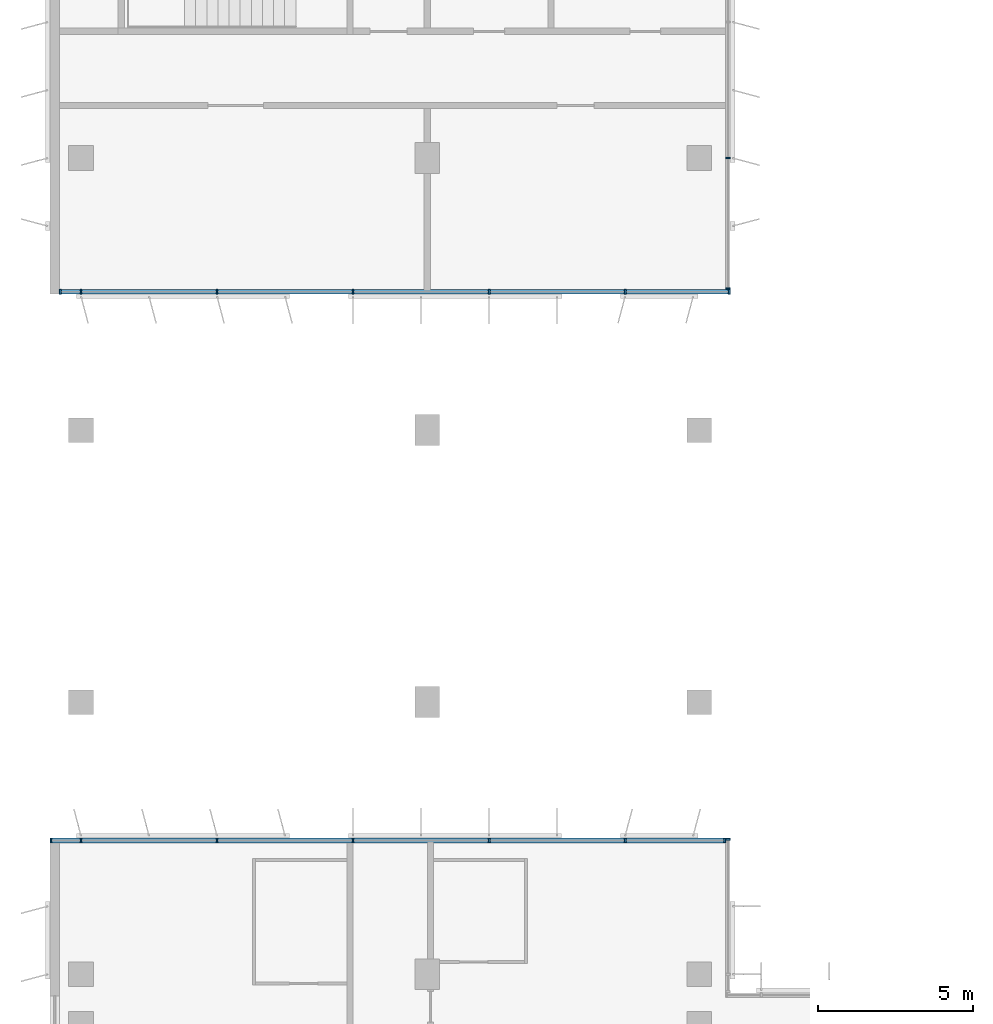
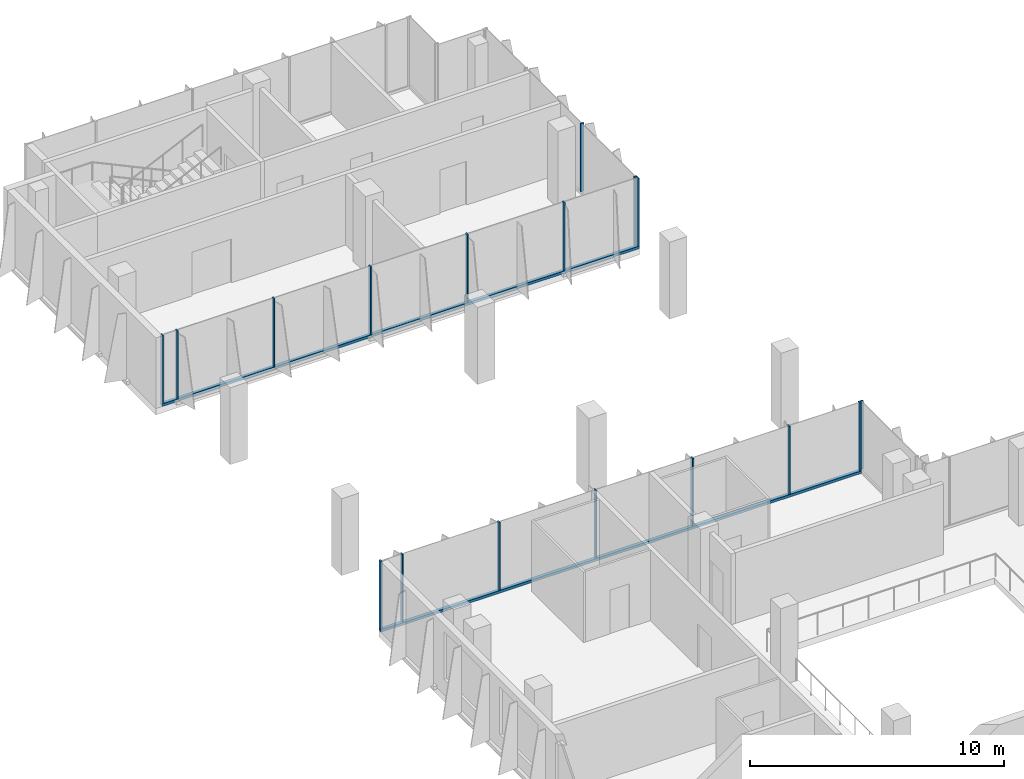
# One storey, part 4 of 14: 19 members, 4 elements without a shape of their own.
"""IFC4 building model written with IfcOpenShell, lengths in metres."""

from ifc_helpers import new_model, si_unit, direction, frame, origin, origin_2d, place, context, subcontext, project, spatial, rectangle, extrude, source, transform, mapped, material, material_profile, profile_set, type_object, element, aggregate, save


model = new_model("IFC4")

# Units and contexts
model_context = context("Model", 3, precision=1e-05, world=origin(), true_north=direction((0.0, 1.0)))
body_context = subcontext(model_context, "Body", "Model", "MODEL_VIEW")
ifc_project = project(units=[si_unit("LENGTHUNIT", "METRE"), si_unit("AREAUNIT", "SQUARE_METRE"), si_unit("VOLUMEUNIT", "CUBIC_METRE"), si_unit("PLANEANGLEUNIT", "RADIAN"), si_unit("MASSUNIT", "GRAM", prefix="KILO")], contexts=[model_context])

# Site, building, storey
site_placement = place(None, origin())
site = spatial("IfcSite", under=ifc_project, at=site_placement, CompositionType="ELEMENT")
building_placement = place(site_placement, origin())
building = spatial("IfcBuilding", under=site, at=building_placement, Name="Kemantara Hotel Tower", CompositionType="ELEMENT")
storey_placement = place(building_placement, frame((0.0, 0.0, 245.0)))
storey = spatial("IfcBuildingStorey", under=building, at=storey_placement, Name="L61", CompositionType="ELEMENT", Elevation=245.0)

# Curtain wall, member
ifc_material_1 = material(Name="Low-E tinted double insulated glass 36 mm", Category="glass")
curtain_wall_type = type_object("IfcCurtainWallType", Name="TOWER CURTAIN WALL, FRONT FACES", PredefinedType="USERDEFINED", material=ifc_material_1)
curtain_wall_1_placement = place(storey_placement, origin())
curtain_wall_1 = element("IfcCurtainWall", 1, at=curtain_wall_1_placement, inside=storey, type_object=curtain_wall_type, Name="CW4 L61 T4P-R01-1", ObjectType="TOWER CURTAIN WALL, FRONT FACES", PredefinedType="USERDEFINED")
ifc_material_2 = material(Name="Aluminium 6063-T6 bronze anodised", Category="aluminium")
ifc_material_profile_1 = material_profile(ifc_material_2, rectangle(XDim=0.14990234375, YDim=0.1201171875, at=origin_2d()), Name="TOWER CURTAIN WALL, FRONT FACES TRANSOM")
ifc_profile_set_1 = profile_set([ifc_material_profile_1], Name="Aluminium 6063-T6 bronze anodised")
member_type_1 = type_object("IfcMemberType", Name="TOWER CURTAIN WALL, FRONT FACES TRANSOM", PredefinedType="USERDEFINED", material=ifc_profile_set_1)
member_1_placement = place(storey_placement, frame((21.85009765625, 31.72509765625, 0.06005859375), z_axis=(-1.0, 0.0, 0.0), x_axis=(0.0, -1.0, 0.0)))
member_1 = element("IfcMember", 2, at=member_1_placement, type_object=member_type_1, Name="CW4 sill transom T4P-R01-1", ObjectType="TRANSOM", PredefinedType="USERDEFINED", context=body_context, shape_type="SweptSolid", body=[
    extrude(rectangle(XDim=0.14990234375, YDim=0.1201171875, at=origin_2d()), origin(), (0.0, 0.0, 1.0), 21.85009765625),
])

curtain_wall_2_placement = place(storey_placement, origin())
curtain_wall_2 = element("IfcCurtainWall", 3, at=curtain_wall_2_placement, inside=storey, type_object=curtain_wall_type, Name="CW4 L61 T4P-R12-1", ObjectType="TOWER CURTAIN WALL, FRONT FACES", PredefinedType="USERDEFINED")
member_2_placement = place(storey_placement, frame((0.300048828125, 49.47509765625, 0.06005859375), z_axis=(1.0, 0.0, 0.0), x_axis=(0.0, 1.0, 0.0)))
member_2 = element("IfcMember", 4, at=member_2_placement, type_object=member_type_1, Name="CW4 sill transom T4P-R12-1", ObjectType="TRANSOM", PredefinedType="USERDEFINED", context=body_context, shape_type="SweptSolid", body=[
    extrude(rectangle(XDim=0.14990234375, YDim=0.1201171875, at=origin_2d()), origin(), (0.0, 0.0, 1.0), 21.699951171875),
])

curtain_wall_3_placement = place(storey_placement, origin())
curtain_wall_3 = element("IfcCurtainWall", 5, at=curtain_wall_3_placement, inside=storey, type_object=curtain_wall_type, Name="CW4 L61 T4P-R00-1", ObjectType="TOWER CURTAIN WALL, FRONT FACES", PredefinedType="USERDEFINED")
ifc_material_profile_2 = material_profile(ifc_material_2, rectangle(XDim=0.14990234375, YDim=0.06005859375, at=origin_2d()), Name="TOWER CURTAIN WALL, FRONT FACES MULLION")
ifc_profile_set_2 = profile_set([ifc_material_profile_2], Name="Aluminium 6063-T6 bronze anodised")
member_type_2 = type_object("IfcMemberType", Name="TOWER CURTAIN WALL, FRONT FACES MULLION", PredefinedType="MULLION", material=ifc_profile_set_2)
shared_shape = source(origin(), body_context, "Body", "SweptSolid", [
    extrude(rectangle(XDim=0.14990234375, YDim=0.06005859375, at=origin_2d()), origin(), (0.0, 0.0, 1.0), 3.27978515625),
])
member_3_placement = place(storey_placement, frame((21.925048828125, 31.77001953125, 0.1201171875), z_axis=(0.0, 0.0, 1.0), x_axis=(-1.0, 0.0, 0.0)))
member_3 = element("IfcMember", 6, at=member_3_placement, type_object=member_type_2, Name="CW4 mullion T4P-R00-1.3", PredefinedType="MULLION", context=body_context, shape_type="MappedRepresentation", body=[
    mapped(shared_shape, transform((0.0, 0.0, 0.0))),
])
aggregate(curtain_wall_3, [member_3])

# Member
member_4_placement = place(storey_placement, frame((21.820068359375, 31.72509765625, 0.1201171875), z_axis=(0.0, 0.0, 1.0), x_axis=(0.0, -1.0, 0.0)))
member_4 = element("IfcMember", 7, at=member_4_placement, type_object=member_type_2, Name="CW4 mullion T4P-R01-1.1", PredefinedType="MULLION", context=body_context, shape_type="MappedRepresentation", body=[
    mapped(shared_shape, transform((0.0, 0.0, 0.0))),
])

member_5_placement = place(storey_placement, frame((18.60009765625, 31.72509765625, 0.1201171875), z_axis=(0.0, 0.0, 1.0), x_axis=(0.0, -1.0, 0.0)))
member_5 = element("IfcMember", 8, at=member_5_placement, type_object=member_type_2, Name="CW4 mullion T4P-R01-1.2", PredefinedType="MULLION", context=body_context, shape_type="MappedRepresentation", body=[
    mapped(shared_shape, transform((0.0, 0.0, 0.0))),
])

member_6_placement = place(storey_placement, frame((14.199951171875, 31.72509765625, 0.1201171875), z_axis=(0.0, 0.0, 1.0), x_axis=(0.0, -1.0, 0.0)))
member_6 = element("IfcMember", 9, at=member_6_placement, type_object=member_type_2, Name="CW4 mullion T4P-R01-1.3", PredefinedType="MULLION", context=body_context, shape_type="MappedRepresentation", body=[
    mapped(shared_shape, transform((0.0, 0.0, 0.0))),
])

member_7_placement = place(storey_placement, frame((9.800048828125, 31.72509765625, 0.1201171875), z_axis=(0.0, 0.0, 1.0), x_axis=(0.0, -1.0, 0.0)))
member_7 = element("IfcMember", 10, at=member_7_placement, type_object=member_type_2, Name="CW4 mullion T4P-R01-1.4", PredefinedType="MULLION", context=body_context, shape_type="MappedRepresentation", body=[
    mapped(shared_shape, transform((0.0, 0.0, 0.0))),
])

member_8_placement = place(storey_placement, frame((5.39990234375, 31.72509765625, 0.1201171875), z_axis=(0.0, 0.0, 1.0), x_axis=(0.0, -1.0, 0.0)))
member_8 = element("IfcMember", 11, at=member_8_placement, type_object=member_type_2, Name="CW4 mullion T4P-R01-1.5", PredefinedType="MULLION", context=body_context, shape_type="MappedRepresentation", body=[
    mapped(shared_shape, transform((0.0, 0.0, 0.0))),
])

member_9_placement = place(storey_placement, frame((1.0, 31.72509765625, 0.1201171875), z_axis=(0.0, 0.0, 1.0), x_axis=(0.0, -1.0, 0.0)))
member_9 = element("IfcMember", 12, at=member_9_placement, type_object=member_type_2, Name="CW4 mullion T4P-R01-1.6", PredefinedType="MULLION", context=body_context, shape_type="MappedRepresentation", body=[
    mapped(shared_shape, transform((0.0, 0.0, 0.0))),
])

member_10_placement = place(storey_placement, frame((0.030029296875, 31.72509765625, 0.1201171875), z_axis=(0.0, 0.0, 1.0), x_axis=(0.0, -1.0, 0.0)))
member_10 = element("IfcMember", 13, at=member_10_placement, type_object=member_type_2, Name="CW4 mullion T4P-R01-1.7", PredefinedType="MULLION", context=body_context, shape_type="MappedRepresentation", body=[
    mapped(shared_shape, transform((0.0, 0.0, 0.0))),
])

aggregate(curtain_wall_1, [member_1, member_4, member_5, member_6, member_7, member_8, member_9, member_10])

member_11_placement = place(storey_placement, frame((0.330078125, 49.47509765625, 0.1201171875), z_axis=(0.0, 0.0, 1.0), x_axis=(0.0, 1.0, 0.0)))
member_11 = element("IfcMember", 14, at=member_11_placement, type_object=member_type_2, Name="CW4 mullion T4P-R12-1.1", PredefinedType="MULLION", context=body_context, shape_type="MappedRepresentation", body=[
    mapped(shared_shape, transform((0.0, 0.0, 0.0))),
])

member_12_placement = place(storey_placement, frame((1.0, 49.47509765625, 0.1201171875), z_axis=(0.0, 0.0, 1.0), x_axis=(0.0, 1.0, 0.0)))
member_12 = element("IfcMember", 15, at=member_12_placement, type_object=member_type_2, Name="CW4 mullion T4P-R12-1.2", PredefinedType="MULLION", context=body_context, shape_type="MappedRepresentation", body=[
    mapped(shared_shape, transform((0.0, 0.0, 0.0))),
])

member_13_placement = place(storey_placement, frame((5.39990234375, 49.47509765625, 0.1201171875), z_axis=(0.0, 0.0, 1.0), x_axis=(0.0, 1.0, 0.0)))
member_13 = element("IfcMember", 16, at=member_13_placement, type_object=member_type_2, Name="CW4 mullion T4P-R12-1.3", PredefinedType="MULLION", context=body_context, shape_type="MappedRepresentation", body=[
    mapped(shared_shape, transform((0.0, 0.0, 0.0))),
])

member_14_placement = place(storey_placement, frame((9.800048828125, 49.47509765625, 0.1201171875), z_axis=(0.0, 0.0, 1.0), x_axis=(0.0, 1.0, 0.0)))
member_14 = element("IfcMember", 17, at=member_14_placement, type_object=member_type_2, Name="CW4 mullion T4P-R12-1.4", PredefinedType="MULLION", context=body_context, shape_type="MappedRepresentation", body=[
    mapped(shared_shape, transform((0.0, 0.0, 0.0))),
])

member_15_placement = place(storey_placement, frame((14.199951171875, 49.47509765625, 0.1201171875), z_axis=(0.0, 0.0, 1.0), x_axis=(0.0, 1.0, 0.0)))
member_15 = element("IfcMember", 18, at=member_15_placement, type_object=member_type_2, Name="CW4 mullion T4P-R12-1.5", PredefinedType="MULLION", context=body_context, shape_type="MappedRepresentation", body=[
    mapped(shared_shape, transform((0.0, 0.0, 0.0))),
])

member_16_placement = place(storey_placement, frame((18.60009765625, 49.47509765625, 0.1201171875), z_axis=(0.0, 0.0, 1.0), x_axis=(0.0, 1.0, 0.0)))
member_16 = element("IfcMember", 19, at=member_16_placement, type_object=member_type_2, Name="CW4 mullion T4P-R12-1.6", PredefinedType="MULLION", context=body_context, shape_type="MappedRepresentation", body=[
    mapped(shared_shape, transform((0.0, 0.0, 0.0))),
])

member_17_placement = place(storey_placement, frame((21.969970703125, 49.47509765625, 0.1201171875), z_axis=(0.0, 0.0, 1.0), x_axis=(0.0, 1.0, 0.0)))
member_17 = element("IfcMember", 20, at=member_17_placement, type_object=member_type_2, Name="CW4 mullion T4P-R12-1.7", PredefinedType="MULLION", context=body_context, shape_type="MappedRepresentation", body=[
    mapped(shared_shape, transform((0.0, 0.0, 0.0))),
])

aggregate(curtain_wall_2, [member_2, member_11, member_12, member_13, member_14, member_15, member_16, member_17])

# Curtain wall, members
curtain_wall_4_placement = place(storey_placement, origin())
curtain_wall_4 = element("IfcCurtainWall", 21, at=curtain_wall_4_placement, inside=storey, type_object=curtain_wall_type, Name="CW4 L61 T4P-R13-1", ObjectType="TOWER CURTAIN WALL, FRONT FACES", PredefinedType="USERDEFINED")
member_18_placement = place(storey_placement, frame((21.925048828125, 49.580078125, 0.1201171875), z_axis=(0.0, 0.0, 1.0), x_axis=(-1.0, 0.0, 0.0)))
member_18 = element("IfcMember", 22, at=member_18_placement, type_object=member_type_2, Name="CW4 mullion T4P-R13-1.1", PredefinedType="MULLION", context=body_context, shape_type="MappedRepresentation", body=[
    mapped(shared_shape, transform((0.0, 0.0, 0.0))),
])
member_19_placement = place(storey_placement, frame((21.925048828125, 53.800048828125, 0.1201171875), z_axis=(0.0, 0.0, 1.0), x_axis=(-1.0, 0.0, 0.0)))
member_19 = element("IfcMember", 23, at=member_19_placement, type_object=member_type_2, Name="CW4 mullion T4P-R13-1.2", PredefinedType="MULLION", context=body_context, shape_type="MappedRepresentation", body=[
    mapped(shared_shape, transform((0.0, 0.0, 0.0))),
])
aggregate(curtain_wall_4, [member_18, member_19])

save(model, "model.ifc")
